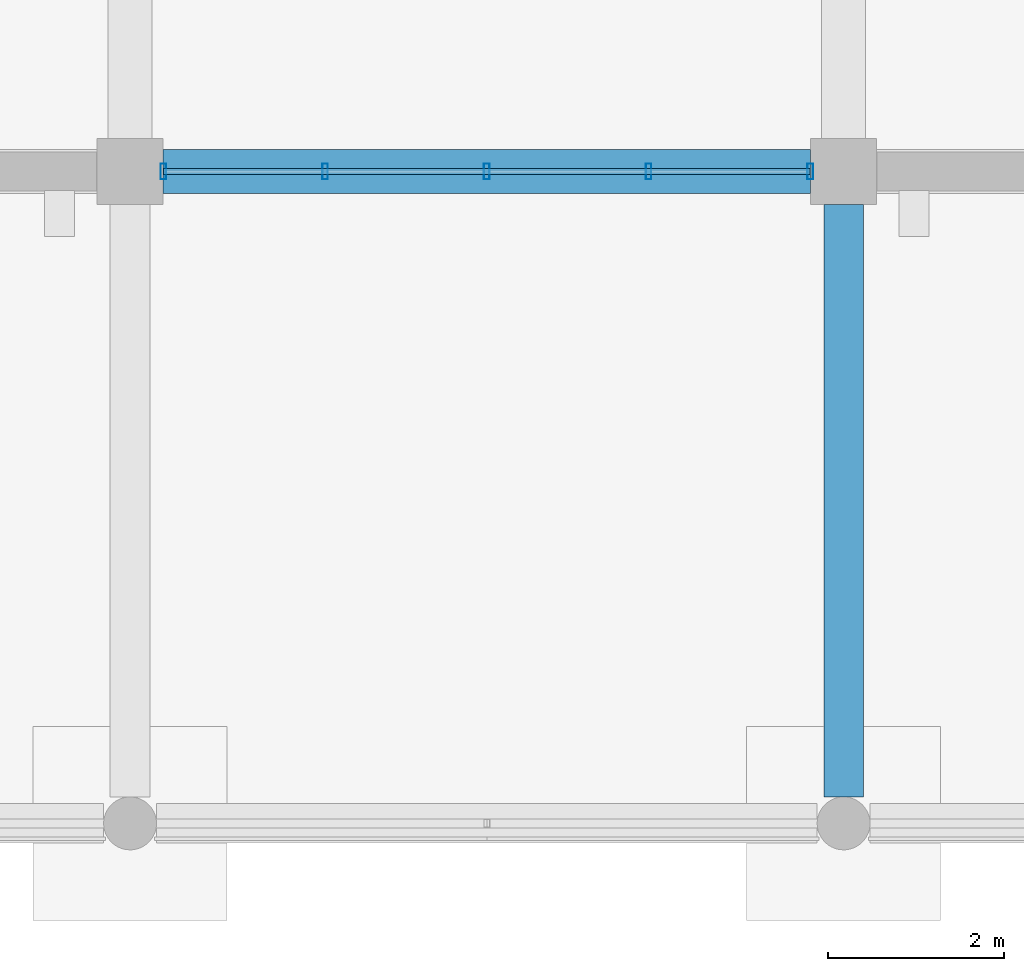
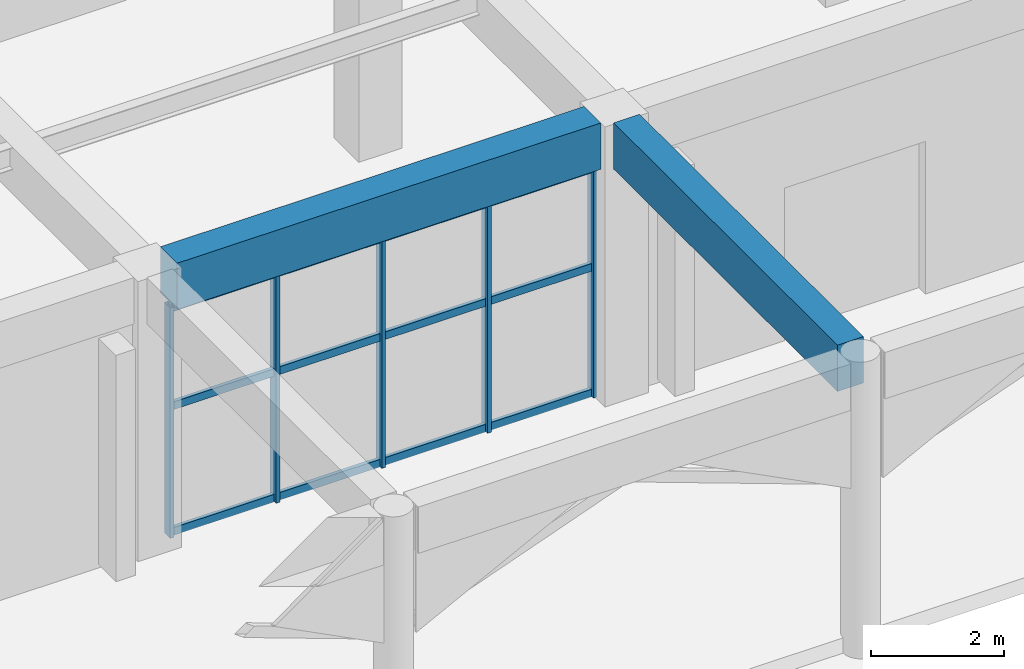
# One storey, part 10 of 140: 8 members, 2 beams, 1 element without a shape of its own.
"""IFC4 building model written with IfcOpenShell, lengths in metres."""

from ifc_helpers import new_model, si_unit, direction, frame, origin, origin_2d, place, context, subcontext, project, spatial, rectangle, hollow_rectangle, extrude, material, material_profile, profile_set, type_object, element, aggregate, save


model = new_model("IFC4")

# Units and contexts
model_context = context("Model", 3, precision=1e-05, world=origin(), true_north=direction((0.0, 1.0)))
body_context = subcontext(model_context, "Body", "Model", "MODEL_VIEW")
ifc_project = project(units=[si_unit("LENGTHUNIT", "METRE"), si_unit("AREAUNIT", "SQUARE_METRE"), si_unit("VOLUMEUNIT", "CUBIC_METRE"), si_unit("PLANEANGLEUNIT", "RADIAN"), si_unit("MASSUNIT", "GRAM", prefix="KILO")], contexts=[model_context])

# Site, building, storey
site_placement = place(None, origin())
site = spatial("IfcSite", under=ifc_project, at=site_placement, CompositionType="ELEMENT")
building_placement = place(site_placement, origin())
building = spatial("IfcBuilding", under=site, at=building_placement, Name="Cimatlan Art Gallery", CompositionType="ELEMENT")
storey_placement = place(building_placement, origin())
storey = spatial("IfcBuildingStorey", under=building, at=storey_placement, Name="L00", CompositionType="ELEMENT", Elevation=0.0)

# Beams
ifc_material_1 = material(Name="Concrete C40/50", Category="concrete")
ifc_material_profile_1 = material_profile(ifc_material_1, rectangle(XDim=0.449951171875, YDim=0.85009765625, at=origin_2d()), Name="RC450X850")
ifc_profile_set_1 = profile_set([ifc_material_profile_1], Name="Concrete C40/50")
beam_type_1 = type_object("IfcBeamType", Name="BM-ARC-450X850", PredefinedType="SPANDREL", material=ifc_profile_set_1)
beam_1_placement = place(storey_placement, frame((58.699951171875, 16.800048828125, 4.735107421875), z_axis=(0.0, 1.0, 0.0), x_axis=(-1.0, 0.0, 0.0)))
element("IfcBeam", 1, at=beam_1_placement, inside=storey, type_object=beam_type_1, Name="BM-ARC-Y-07-02", PredefinedType="SPANDREL", context=body_context, shape_type="SweptSolid", body=[
    extrude(rectangle(XDim=0.449951171875, YDim=0.85009765625, at=origin_2d()), origin(), (0.0, 0.0, 1.0), 6.724853515625),
])
ifc_material_profile_2 = material_profile(ifc_material_1, rectangle(XDim=0.5, YDim=0.85009765625, at=origin_2d()), Name="RC500X850")
ifc_profile_set_2 = profile_set([ifc_material_profile_2], Name="Concrete C40/50")
beam_type_2 = type_object("IfcBeamType", Name="BM-RC-500X850", PredefinedType="BEAM", material=ifc_profile_set_2)
beam_2_placement = place(storey_placement, frame((50.97509765625, 23.89990234375, 4.7099609375), z_axis=(1.0, 0.0, 0.0), x_axis=(0.0, 1.0, 0.0)))
element("IfcBeam", 2, at=beam_2_placement, inside=storey, type_object=beam_type_2, Name="BM-X-L00-06-03", PredefinedType="BEAM", context=body_context, shape_type="SweptSolid", body=[
    extrude(rectangle(XDim=0.5, YDim=0.85009765625, at=origin_2d()), origin(), (0.0, 0.0, 1.0), 7.349853515625),
])

# Curtain wall, members
ifc_material_2 = material(Name="Anodised bronze unitised curtain wall")
curtain_wall_type = type_object("IfcCurtainWallType", Name="CW-V-07342X04225-B4", PredefinedType="NOTDEFINED", material=ifc_material_2)
curtain_wall_placement = place(storey_placement, origin())
curtain_wall = element("IfcCurtainWall", 3, at=curtain_wall_placement, inside=storey, type_object=curtain_wall_type, Name="CW-L00-06-03-S", PredefinedType="NOTDEFINED")
ifc_material_3 = material(Name="Anodised bronze aluminium 6063-T6", Category="aluminium")
ifc_material_profile_3 = material_profile(ifc_material_3, hollow_rectangle(XDim=0.06494140625, YDim=0.179931640625, WallThickness=0.00390625, at=origin_2d()), Name="ALU65X180X4")
ifc_profile_set_3 = profile_set([ifc_material_profile_3], Name="Anodised bronze aluminium 6063-T6")
member_type_1 = type_object("IfcMemberType", Name="CW-MUL-180", PredefinedType="MULLION", material=ifc_profile_set_3)
member_1_placement = place(storey_placement, frame((58.321044921875, 23.89990234375, 0.0), z_axis=(0.0, 0.0, 1.0), x_axis=(1.0, 0.0, 0.0)))
member_1 = element("IfcMember", 4, at=member_1_placement, type_object=member_type_1, Name="CW-L00-06-03-S-M1", PredefinedType="MULLION", context=body_context, shape_type="SweptSolid", body=[
    extrude(hollow_rectangle(XDim=0.06494140625, YDim=0.179931640625, WallThickness=0.00390625, at=origin_2d()), origin(), (0.0, 0.0, 1.0), 4.22509765625),
])
member_2_placement = place(storey_placement, frame((56.485595703125, 23.89990234375, 0.0), z_axis=(0.0, 0.0, 1.0), x_axis=(1.0, 0.0, 0.0)))
member_2 = element("IfcMember", 5, at=member_2_placement, type_object=member_type_1, Name="CW-L00-06-03-S-M2", PredefinedType="MULLION", context=body_context, shape_type="SweptSolid", body=[
    extrude(hollow_rectangle(XDim=0.06494140625, YDim=0.179931640625, WallThickness=0.00390625, at=origin_2d()), origin(), (0.0, 0.0, 1.0), 4.22509765625),
])
member_3_placement = place(storey_placement, frame((54.64990234375, 23.89990234375, 0.0), z_axis=(0.0, 0.0, 1.0), x_axis=(1.0, 0.0, 0.0)))
member_3 = element("IfcMember", 6, at=member_3_placement, type_object=member_type_1, Name="CW-L00-06-03-S-M3", PredefinedType="MULLION", context=body_context, shape_type="SweptSolid", body=[
    extrude(hollow_rectangle(XDim=0.06494140625, YDim=0.179931640625, WallThickness=0.00390625, at=origin_2d()), origin(), (0.0, 0.0, 1.0), 4.22509765625),
])
member_4_placement = place(storey_placement, frame((52.814453125, 23.89990234375, 0.0), z_axis=(0.0, 0.0, 1.0), x_axis=(1.0, 0.0, 0.0)))
member_4 = element("IfcMember", 7, at=member_4_placement, type_object=member_type_1, Name="CW-L00-06-03-S-M4", PredefinedType="MULLION", context=body_context, shape_type="SweptSolid", body=[
    extrude(hollow_rectangle(XDim=0.06494140625, YDim=0.179931640625, WallThickness=0.00390625, at=origin_2d()), origin(), (0.0, 0.0, 1.0), 4.22509765625),
])
member_5_placement = place(storey_placement, frame((50.97900390625, 23.89990234375, 0.0), z_axis=(0.0, 0.0, 1.0), x_axis=(1.0, 0.0, 0.0)))
member_5 = element("IfcMember", 8, at=member_5_placement, type_object=member_type_1, Name="CW-L00-06-03-S-M5", PredefinedType="MULLION", context=body_context, shape_type="SweptSolid", body=[
    extrude(hollow_rectangle(XDim=0.06494140625, YDim=0.179931640625, WallThickness=0.00390625, at=origin_2d()), origin(), (0.0, 0.0, 1.0), 4.22509765625),
])
ifc_material_profile_4 = material_profile(ifc_material_3, hollow_rectangle(XDim=0.06494140625, YDim=0.139892578125, WallThickness=0.00390625, at=origin_2d()), Name="ALU65X140X4")
ifc_profile_set_4 = profile_set([ifc_material_profile_4], Name="Anodised bronze aluminium 6063-T6")
member_type_2 = type_object("IfcMemberType", Name="CW-TRN-140", PredefinedType="USERDEFINED", material=ifc_profile_set_4)
member_6_placement = place(storey_placement, frame((58.321044921875, 23.89990234375, 0.06005859375), z_axis=(-1.0, 0.0, 0.0), x_axis=(0.0, -1.0, 0.0)))
member_6 = element("IfcMember", 9, at=member_6_placement, type_object=member_type_2, Name="CW-L00-06-03-S-T1", ObjectType="TRANSOM", PredefinedType="USERDEFINED", context=body_context, shape_type="SweptSolid", body=[
    extrude(hollow_rectangle(XDim=0.06494140625, YDim=0.139892578125, WallThickness=0.00390625, at=origin_2d()), origin(), (0.0, 0.0, 1.0), 7.342041015625),
])
member_7_placement = place(storey_placement, frame((58.321044921875, 23.89990234375, 2.365966796875), z_axis=(-1.0, 0.0, 0.0), x_axis=(0.0, -1.0, 0.0)))
member_7 = element("IfcMember", 10, at=member_7_placement, type_object=member_type_2, Name="CW-L00-06-03-S-T2", ObjectType="TRANSOM", PredefinedType="USERDEFINED", context=body_context, shape_type="SweptSolid", body=[
    extrude(hollow_rectangle(XDim=0.06494140625, YDim=0.139892578125, WallThickness=0.00390625, at=origin_2d()), origin(), (0.0, 0.0, 1.0), 7.342041015625),
])
member_8_placement = place(storey_placement, frame((58.321044921875, 23.89990234375, 4.1650390625), z_axis=(-1.0, 0.0, 0.0), x_axis=(0.0, -1.0, 0.0)))
member_8 = element("IfcMember", 11, at=member_8_placement, type_object=member_type_2, Name="CW-L00-06-03-S-T3", ObjectType="TRANSOM", PredefinedType="USERDEFINED", context=body_context, shape_type="SweptSolid", body=[
    extrude(hollow_rectangle(XDim=0.06494140625, YDim=0.139892578125, WallThickness=0.00390625, at=origin_2d()), origin(), (0.0, 0.0, 1.0), 7.342041015625),
])
aggregate(curtain_wall, [member_1, member_2, member_3, member_4, member_5, member_6, member_7, member_8])

save(model, "model.ifc")
